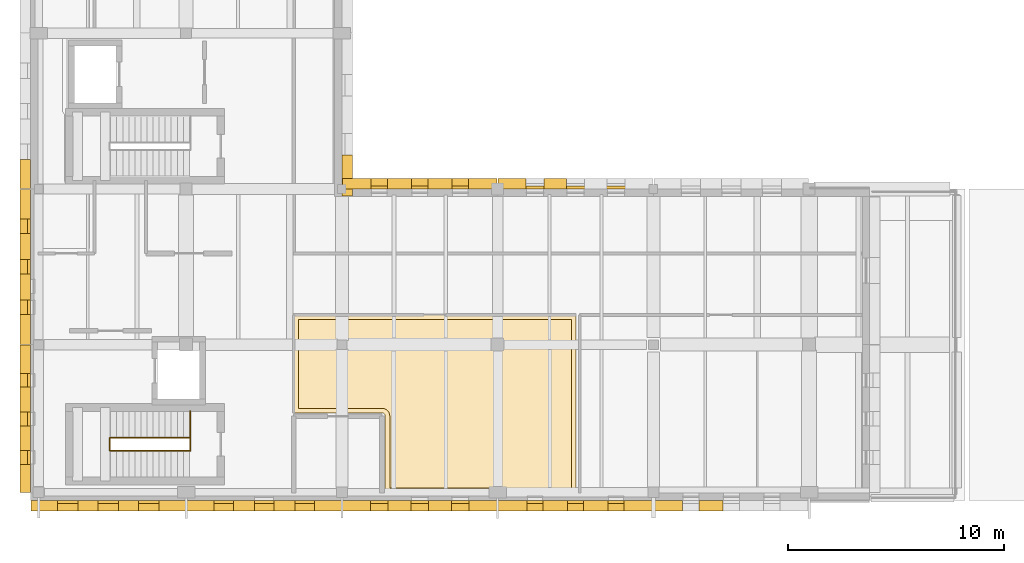
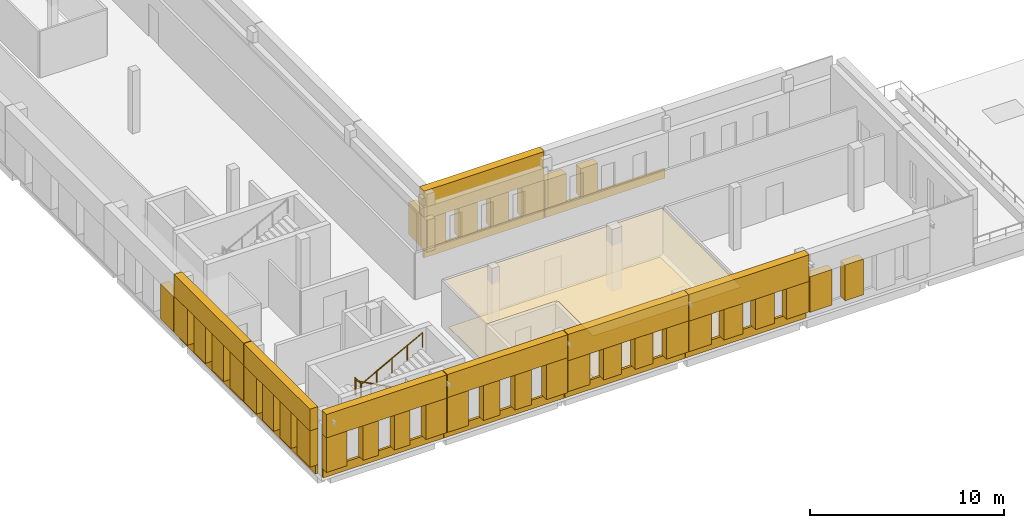
# One storey, part 47 of 56: 51 coverings, 4 railings.
"""IFC4 building model written with IfcOpenShell, lengths in metres."""

from ifc_helpers import new_model, si_unit, direction, frame, origin, origin_2d, place, context, subcontext, project, spatial, polyline, circle, outline, extrude, material, layer, layer_set, type_object, element, save


model = new_model("IFC4")

# Units and contexts
model_context = context("Model", 3, precision=1e-05, world=origin(), true_north=direction((0.0, 1.0)))
body_context = subcontext(model_context, "Body", "Model", "MODEL_VIEW")
ifc_project = project(units=[si_unit("LENGTHUNIT", "METRE"), si_unit("AREAUNIT", "SQUARE_METRE"), si_unit("VOLUMEUNIT", "CUBIC_METRE"), si_unit("PLANEANGLEUNIT", "RADIAN"), si_unit("MASSUNIT", "GRAM", prefix="KILO")], contexts=[model_context])

# Site, building, storey
site_placement = place(None, origin())
site = spatial("IfcSite", under=ifc_project, at=site_placement, CompositionType="ELEMENT")
building_placement = place(site_placement, origin())
building = spatial("IfcBuilding", under=site, at=building_placement, Name="Vardoun Plaza Health Centre", CompositionType="ELEMENT")
storey_placement = place(building_placement, frame((0.0, 0.0, 8.699951171875)))
storey = spatial("IfcBuildingStorey", under=building, at=storey_placement, Name="L02", CompositionType="ELEMENT", Elevation=8.699951171875)

# Coverings
ifc_material_1 = material(Name="Hygienic Acoustic Mineral-Fibre Ceiling", Category="concrete")
ifc_layer_1 = layer(ifc_material_1, 0.02490234375)
ifc_layer_set_1 = layer_set([ifc_layer_1], Name="Hygienic Acoustic Mineral-Fibre Ceiling")
covering_type_1 = type_object("IfcCoveringType", Name="CL-01", PredefinedType="CEILING", material=ifc_layer_set_1)
covering_1_placement = place(storey_placement, frame((0.0, 0.0, 2.880126953125)))
element("IfcCovering", 1, at=covering_1_placement, inside=storey, type_object=covering_type_1, Name="Terrace Waiting Lounge L02 Acoustic Ceiling", PredefinedType="CEILING", context=body_context, shape_type="SweptSolid", body=[
    extrude(outline(polyline([(16.679931640625, 13.070068359375), (29.719970703125, 13.070068359375), (29.719970703125, 4.860107421875), (20.903564453125, 4.860107421875), (20.903564453125, 8.40087890625), (20.903564453125, 8.4013671875), (20.90283203125, 8.4150390625), (20.902587890625, 8.416015625), (20.900634765625, 8.4296875), (20.900390625, 8.4306640625), (20.897216796875, 8.44384765625), (20.89697265625, 8.44482421875), (20.89208984375, 8.457763671875), (20.891845703125, 8.45849609375), (20.885986328125, 8.47119140625), (20.885498046875, 8.47216796875), (20.87841796875, 8.48388671875), (20.8779296875, 8.484619140625), (20.86962890625, 8.49560546875), (20.869140625, 8.496337890625), (20.85986328125, 8.506591796875), (20.859130859375, 8.50732421875), (20.84912109375, 8.5166015625), (20.848388671875, 8.51708984375), (20.83740234375, 8.525390625), (20.83642578125, 8.52587890625), (20.82470703125, 8.532958984375), (20.82373046875, 8.533203125), (20.811279296875, 8.539306640625), (20.810302734375, 8.53955078125), (20.79736328125, 8.544189453125), (20.796630859375, 8.54443359375), (20.783203125, 8.5478515625), (20.7822265625, 8.548095703125), (20.768798828125, 8.550048828125), (20.767578125, 8.55029296875), (20.75390625, 8.55078125), (20.75341796875, 8.55078125), (16.679931640625, 8.55078125), (16.679931640625, 13.070068359375)])), origin(), (0.0, 0.0, 1.0), 0.02490234375),
])
ifc_material_2 = material(Name="Pale Limestone Concrete C35/45", Category="masonry")
ifc_layer_2 = layer(ifc_material_2, 0.080078125)
ifc_layer_set_2 = layer_set([ifc_layer_2], Name="Pale Limestone Concrete C35/45")
covering_type_2 = type_object("IfcCoveringType", Name="CL-EXT1", PredefinedType="CLADDING", material=ifc_layer_set_2)
covering_2_placement = place(storey_placement, frame((0.0, 0.0, 0.550048828125)))
element("IfcCovering", 2, at=covering_2_placement, inside=storey, type_object=covering_type_2, Name="V2 L02 Deep-Punched Slot Concrete Reveal Pier 212", PredefinedType="CLADDING", context=body_context, shape_type="SweptSolid", body=[
    extrude(outline(polyline([(18.89990234375, 20.474365234375), (18.89990234375, 18.574951171875), (19.3798828125, 18.574951171875), (19.3798828125, 20.474365234375), (18.89990234375, 20.474365234375)])), origin(), (0.0, 0.0, 1.0), 2.02001953125),
])
covering_3_placement = place(storey_placement, origin())
element("IfcCovering", 3, at=covering_3_placement, inside=storey, type_object=covering_type_2, Name="V2 L02 Pale Concrete Sill Band 213", PredefinedType="CLADDING", context=body_context, shape_type="SweptSolid", body=[
    extrude(outline(polyline([(18.919921875, 18.89990234375), (26.080078125, 18.89990234375), (26.080078125, 19.0400390625), (18.919921875, 19.0400390625), (18.919921875, 18.89990234375)])), origin(), (0.0, 0.0, 1.0), 0.550048828125),
])
covering_4_placement = place(storey_placement, frame((0.0, 0.0, 2.400146484375)))
element("IfcCovering", 4, at=covering_4_placement, inside=storey, type_object=covering_type_2, Name="V2 L02 Sculpted Concrete Eyebrow Hood 214", PredefinedType="CLADDING", context=body_context, shape_type="SweptSolid", body=[
    extrude(outline(polyline([(18.919921875, 18.89990234375), (26.080078125, 18.89990234375), (26.080078125, 19.3798828125), (18.919921875, 19.3798828125), (18.919921875, 18.89990234375)])), origin(), (0.0, 0.0, 1.0), 1.7998046875),
])
covering_5_placement = place(storey_placement, frame((0.0, 0.0, 0.550048828125)))
element("IfcCovering", 5, at=covering_5_placement, inside=storey, type_object=covering_type_2, Name="V2 L02 Deep-Punched Slot Concrete Reveal Pier 215", PredefinedType="CLADDING", context=body_context, shape_type="SweptSolid", body=[
    extrude(outline(polyline([(18.919921875, 18.89990234375), (20.248046875, 18.89990234375), (20.248046875, 19.3798828125), (18.919921875, 19.3798828125), (18.919921875, 18.89990234375)])), origin(), (0.0, 0.0, 1.0), 1.85009765625),
])
covering_6_placement = place(storey_placement, frame((0.0, 0.0, 0.550048828125)))
element("IfcCovering", 6, at=covering_6_placement, inside=storey, type_object=covering_type_2, Name="V2 L02 Deep-Punched Slot Concrete Reveal Pier 216", PredefinedType="CLADDING", context=body_context, shape_type="SweptSolid", body=[
    extrude(outline(polyline([(21.008056640625, 18.89990234375), (22.1201171875, 18.89990234375), (22.1201171875, 19.3798828125), (21.008056640625, 19.3798828125), (21.008056640625, 18.89990234375)])), origin(), (0.0, 0.0, 1.0), 1.85009765625),
])
covering_7_placement = place(storey_placement, frame((0.0, 0.0, 0.550048828125)))
element("IfcCovering", 7, at=covering_7_placement, inside=storey, type_object=covering_type_2, Name="V2 L02 Deep-Punched Slot Concrete Reveal Pier 217", PredefinedType="CLADDING", context=body_context, shape_type="SweptSolid", body=[
    extrude(outline(polyline([(22.8798828125, 18.89990234375), (23.991943359375, 18.89990234375), (23.991943359375, 19.3798828125), (22.8798828125, 19.3798828125), (22.8798828125, 18.89990234375)])), origin(), (0.0, 0.0, 1.0), 1.85009765625),
])
covering_8_placement = place(storey_placement, frame((0.0, 0.0, 0.550048828125)))
element("IfcCovering", 8, at=covering_8_placement, inside=storey, type_object=covering_type_2, Name="V2 L02 Deep-Punched Slot Concrete Reveal Pier 218", PredefinedType="CLADDING", context=body_context, shape_type="SweptSolid", body=[
    extrude(outline(polyline([(24.751953125, 18.89990234375), (26.080078125, 18.89990234375), (26.080078125, 19.3798828125), (24.751953125, 19.3798828125), (24.751953125, 18.89990234375)])), origin(), (0.0, 0.0, 1.0), 1.85009765625),
])
covering_9_placement = place(storey_placement, origin())
element("IfcCovering", 9, at=covering_9_placement, inside=storey, type_object=covering_type_2, Name="V2 L02 Pale Concrete Sill Band 219", PredefinedType="CLADDING", context=body_context, shape_type="SweptSolid", body=[
    extrude(outline(polyline([(26.1201171875, 18.89990234375), (33.280029296875, 18.89990234375), (33.280029296875, 19.0400390625), (26.1201171875, 19.0400390625), (26.1201171875, 18.89990234375)])), origin(), (0.0, 0.0, 1.0), 0.550048828125),
])
covering_10_placement = place(storey_placement, frame((0.0, 0.0, 0.550048828125)))
element("IfcCovering", 10, at=covering_10_placement, inside=storey, type_object=covering_type_2, Name="V2 L02 Deep-Punched Slot Concrete Reveal Pier 221", PredefinedType="CLADDING", context=body_context, shape_type="SweptSolid", body=[
    extrude(outline(polyline([(26.1201171875, 18.89990234375), (27.407958984375, 18.89990234375), (27.407958984375, 19.3798828125), (26.1201171875, 19.3798828125), (26.1201171875, 18.89990234375)])), origin(), (0.0, 0.0, 1.0), 1.800048828125),
])
covering_11_placement = place(storey_placement, frame((0.0, 0.0, 0.550048828125)))
element("IfcCovering", 11, at=covering_11_placement, inside=storey, type_object=covering_type_2, Name="V2 L02 Deep-Punched Slot Concrete Reveal Pier 222", PredefinedType="CLADDING", context=body_context, shape_type="SweptSolid", body=[
    extrude(outline(polyline([(28.248046875, 18.89990234375), (29.280029296875, 18.89990234375), (29.280029296875, 19.3798828125), (28.248046875, 19.3798828125), (28.248046875, 18.89990234375)])), origin(), (0.0, 0.0, 1.0), 1.800048828125),
])
covering_12_placement = place(storey_placement, frame((0.0, 0.0, 0.550048828125)))
element("IfcCovering", 12, at=covering_12_placement, inside=storey, type_object=covering_type_2, Name="V2 L02 Deep-Punched Slot Concrete Reveal Pier 246", PredefinedType="CLADDING", context=body_context, shape_type="SweptSolid", body=[
    extrude(outline(polyline([(36.510009765625, 4.5), (35.41796875, 4.5), (35.41796875, 4.02001953125), (36.510009765625, 4.02001953125), (36.510009765625, 4.5)])), origin(), (0.0, 0.0, 1.0), 2.25),
])
covering_13_placement = place(storey_placement, frame((0.0, 0.0, 0.550048828125)))
element("IfcCovering", 13, at=covering_13_placement, inside=storey, type_object=covering_type_2, Name="V2 L02 Deep-Punched Slot Concrete Reveal Pier 247", PredefinedType="CLADDING", context=body_context, shape_type="SweptSolid", body=[
    extrude(outline(polyline([(34.637939453125, 4.5), (33.320068359375, 4.5), (33.320068359375, 4.02001953125), (34.637939453125, 4.02001953125), (34.637939453125, 4.5)])), origin(), (0.0, 0.0, 1.0), 2.25),
])
covering_14_placement = place(storey_placement, origin())
element("IfcCovering", 14, at=covering_14_placement, inside=storey, type_object=covering_type_2, Name="V2 L02 Pale Concrete Sill Band 248", PredefinedType="CLADDING", context=body_context, shape_type="SweptSolid", body=[
    extrude(outline(polyline([(33.280029296875, 4.5), (26.1201171875, 4.5), (26.1201171875, 4.360107421875), (33.280029296875, 4.360107421875), (33.280029296875, 4.5)])), origin(), (0.0, 0.0, 1.0), 0.60009765625),
])
covering_15_placement = place(storey_placement, frame((0.0, 0.0, 2.52001953125)))
element("IfcCovering", 15, at=covering_15_placement, inside=storey, type_object=covering_type_2, Name="V2 L02 Sculpted Concrete Eyebrow Hood 249", PredefinedType="CLADDING", context=body_context, shape_type="SweptSolid", body=[
    extrude(outline(polyline([(33.280029296875, 4.5), (26.1201171875, 4.5), (26.1201171875, 4.02001953125), (33.280029296875, 4.02001953125), (33.280029296875, 4.5)])), origin(), (0.0, 0.0, 1.0), 1.679931640625),
])
covering_16_placement = place(storey_placement, frame((0.0, 0.0, 0.60009765625)))
element("IfcCovering", 16, at=covering_16_placement, inside=storey, type_object=covering_type_2, Name="V2 L02 Deep-Punched Slot Concrete Reveal Pier 250", PredefinedType="CLADDING", context=body_context, shape_type="SweptSolid", body=[
    extrude(outline(polyline([(33.280029296875, 4.5), (31.94189453125, 4.5), (31.94189453125, 4.02001953125), (33.280029296875, 4.02001953125), (33.280029296875, 4.5)])), origin(), (0.0, 0.0, 1.0), 1.919921875),
])
covering_17_placement = place(storey_placement, frame((0.0, 0.0, 0.60009765625)))
element("IfcCovering", 17, at=covering_17_placement, inside=storey, type_object=covering_type_2, Name="V2 L02 Deep-Punched Slot Concrete Reveal Pier 251", PredefinedType="CLADDING", context=body_context, shape_type="SweptSolid", body=[
    extrude(outline(polyline([(31.201904296875, 4.5), (30.070068359375, 4.5), (30.070068359375, 4.02001953125), (31.201904296875, 4.02001953125), (31.201904296875, 4.5)])), origin(), (0.0, 0.0, 1.0), 1.919921875),
])
covering_18_placement = place(storey_placement, frame((0.0, 0.0, 0.60009765625)))
element("IfcCovering", 18, at=covering_18_placement, inside=storey, type_object=covering_type_2, Name="V2 L02 Deep-Punched Slot Concrete Reveal Pier 252", PredefinedType="CLADDING", context=body_context, shape_type="SweptSolid", body=[
    extrude(outline(polyline([(29.330078125, 4.5), (28.197998046875, 4.5), (28.197998046875, 4.02001953125), (29.330078125, 4.02001953125), (29.330078125, 4.5)])), origin(), (0.0, 0.0, 1.0), 1.919921875),
])
covering_19_placement = place(storey_placement, frame((0.0, 0.0, 0.60009765625)))
element("IfcCovering", 19, at=covering_19_placement, inside=storey, type_object=covering_type_2, Name="V2 L02 Deep-Punched Slot Concrete Reveal Pier 253", PredefinedType="CLADDING", context=body_context, shape_type="SweptSolid", body=[
    extrude(outline(polyline([(27.4580078125, 4.5), (26.1201171875, 4.5), (26.1201171875, 4.02001953125), (27.4580078125, 4.02001953125), (27.4580078125, 4.5)])), origin(), (0.0, 0.0, 1.0), 1.919921875),
])
covering_20_placement = place(storey_placement, origin())
element("IfcCovering", 20, at=covering_20_placement, inside=storey, type_object=covering_type_2, Name="V2 L02 Pale Concrete Sill Band 254", PredefinedType="CLADDING", context=body_context, shape_type="SweptSolid", body=[
    extrude(outline(polyline([(26.080078125, 4.5), (18.919921875, 4.5), (18.919921875, 4.360107421875), (26.080078125, 4.360107421875), (26.080078125, 4.5)])), origin(), (0.0, 0.0, 1.0), 0.60009765625),
])
covering_21_placement = place(storey_placement, frame((0.0, 0.0, 2.550048828125)))
element("IfcCovering", 21, at=covering_21_placement, inside=storey, type_object=covering_type_2, Name="V2 L02 Sculpted Concrete Eyebrow Hood 255", PredefinedType="CLADDING", context=body_context, shape_type="SweptSolid", body=[
    extrude(outline(polyline([(26.080078125, 4.5), (18.919921875, 4.5), (18.919921875, 4.02001953125), (26.080078125, 4.02001953125), (26.080078125, 4.5)])), origin(), (0.0, 0.0, 1.0), 1.64990234375),
])
covering_22_placement = place(storey_placement, frame((0.0, 0.0, 0.60009765625)))
element("IfcCovering", 22, at=covering_22_placement, inside=storey, type_object=covering_type_2, Name="V2 L02 Deep-Punched Slot Concrete Reveal Pier 256", PredefinedType="CLADDING", context=body_context, shape_type="SweptSolid", body=[
    extrude(outline(polyline([(26.080078125, 4.5), (24.781982421875, 4.5), (24.781982421875, 4.02001953125), (26.080078125, 4.02001953125), (26.080078125, 4.5)])), origin(), (0.0, 0.0, 1.0), 1.949951171875),
])
covering_23_placement = place(storey_placement, frame((0.0, 0.0, 0.60009765625)))
element("IfcCovering", 23, at=covering_23_placement, inside=storey, type_object=covering_type_2, Name="V2 L02 Deep-Punched Slot Concrete Reveal Pier 257", PredefinedType="CLADDING", context=body_context, shape_type="SweptSolid", body=[
    extrude(outline(polyline([(23.9619140625, 4.5), (22.909912109375, 4.5), (22.909912109375, 4.02001953125), (23.9619140625, 4.02001953125), (23.9619140625, 4.5)])), origin(), (0.0, 0.0, 1.0), 1.949951171875),
])
covering_24_placement = place(storey_placement, frame((0.0, 0.0, 0.60009765625)))
element("IfcCovering", 24, at=covering_24_placement, inside=storey, type_object=covering_type_2, Name="V2 L02 Deep-Punched Slot Concrete Reveal Pier 258", PredefinedType="CLADDING", context=body_context, shape_type="SweptSolid", body=[
    extrude(outline(polyline([(22.090087890625, 4.5), (21.0380859375, 4.5), (21.0380859375, 4.02001953125), (22.090087890625, 4.02001953125), (22.090087890625, 4.5)])), origin(), (0.0, 0.0, 1.0), 1.949951171875),
])
covering_25_placement = place(storey_placement, frame((0.0, 0.0, 0.60009765625)))
element("IfcCovering", 25, at=covering_25_placement, inside=storey, type_object=covering_type_2, Name="V2 L02 Deep-Punched Slot Concrete Reveal Pier 259", PredefinedType="CLADDING", context=body_context, shape_type="SweptSolid", body=[
    extrude(outline(polyline([(20.218017578125, 4.5), (18.919921875, 4.5), (18.919921875, 4.02001953125), (20.218017578125, 4.02001953125), (20.218017578125, 4.5)])), origin(), (0.0, 0.0, 1.0), 1.949951171875),
])
covering_26_placement = place(storey_placement, origin())
element("IfcCovering", 26, at=covering_26_placement, inside=storey, type_object=covering_type_2, Name="V2 L02 Pale Concrete Sill Band 260", PredefinedType="CLADDING", context=body_context, shape_type="SweptSolid", body=[
    extrude(outline(polyline([(18.8798828125, 4.5), (11.719970703125, 4.5), (11.719970703125, 4.360107421875), (18.8798828125, 4.360107421875), (18.8798828125, 4.5)])), origin(), (0.0, 0.0, 1.0), 0.550048828125),
])
covering_27_placement = place(storey_placement, frame((0.0, 0.0, 2.75)))
element("IfcCovering", 27, at=covering_27_placement, inside=storey, type_object=covering_type_2, Name="V2 L02 Sculpted Concrete Eyebrow Hood 261", PredefinedType="CLADDING", context=body_context, shape_type="SweptSolid", body=[
    extrude(outline(polyline([(18.8798828125, 4.5), (11.719970703125, 4.5), (11.719970703125, 4.02001953125), (18.8798828125, 4.02001953125), (18.8798828125, 4.5)])), origin(), (0.0, 0.0, 1.0), 1.449951171875),
])
covering_28_placement = place(storey_placement, frame((0.0, 0.0, 0.550048828125)))
element("IfcCovering", 28, at=covering_28_placement, inside=storey, type_object=covering_type_2, Name="V2 L02 Deep-Punched Slot Concrete Reveal Pier 262", PredefinedType="CLADDING", context=body_context, shape_type="SweptSolid", body=[
    extrude(outline(polyline([(18.8798828125, 4.5), (17.6220703125, 4.5), (17.6220703125, 4.02001953125), (18.8798828125, 4.02001953125), (18.8798828125, 4.5)])), origin(), (0.0, 0.0, 1.0), 2.199951171875),
])
covering_29_placement = place(storey_placement, frame((0.0, 0.0, 0.550048828125)))
element("IfcCovering", 29, at=covering_29_placement, inside=storey, type_object=covering_type_2, Name="V2 L02 Deep-Punched Slot Concrete Reveal Pier 263", PredefinedType="CLADDING", context=body_context, shape_type="SweptSolid", body=[
    extrude(outline(polyline([(16.721923828125, 4.5), (15.75, 4.5), (15.75, 4.02001953125), (16.721923828125, 4.02001953125), (16.721923828125, 4.5)])), origin(), (0.0, 0.0, 1.0), 2.199951171875),
])
covering_30_placement = place(storey_placement, frame((0.0, 0.0, 0.550048828125)))
element("IfcCovering", 30, at=covering_30_placement, inside=storey, type_object=covering_type_2, Name="V2 L02 Deep-Punched Slot Concrete Reveal Pier 264", PredefinedType="CLADDING", context=body_context, shape_type="SweptSolid", body=[
    extrude(outline(polyline([(14.85009765625, 4.5), (13.8779296875, 4.5), (13.8779296875, 4.02001953125), (14.85009765625, 4.02001953125), (14.85009765625, 4.5)])), origin(), (0.0, 0.0, 1.0), 2.199951171875),
])
covering_31_placement = place(storey_placement, frame((0.0, 0.0, 0.550048828125)))
element("IfcCovering", 31, at=covering_31_placement, inside=storey, type_object=covering_type_2, Name="V2 L02 Deep-Punched Slot Concrete Reveal Pier 265", PredefinedType="CLADDING", context=body_context, shape_type="SweptSolid", body=[
    extrude(outline(polyline([(12.97802734375, 4.5), (11.719970703125, 4.5), (11.719970703125, 4.02001953125), (12.97802734375, 4.02001953125), (12.97802734375, 4.5)])), origin(), (0.0, 0.0, 1.0), 2.199951171875),
])
covering_32_placement = place(storey_placement, origin())
element("IfcCovering", 32, at=covering_32_placement, inside=storey, type_object=covering_type_2, Name="V2 L02 Pale Concrete Sill Band 266", PredefinedType="CLADDING", context=body_context, shape_type="SweptSolid", body=[
    extrude(outline(polyline([(11.679931640625, 4.5), (4.52001953125, 4.5), (4.52001953125, 4.360107421875), (11.679931640625, 4.360107421875), (11.679931640625, 4.5)])), origin(), (0.0, 0.0, 1.0), 0.550048828125),
])
covering_33_placement = place(storey_placement, frame((0.0, 0.0, 2.72998046875)))
element("IfcCovering", 33, at=covering_33_placement, inside=storey, type_object=covering_type_2, Name="V2 L02 Sculpted Concrete Eyebrow Hood 267", PredefinedType="CLADDING", context=body_context, shape_type="SweptSolid", body=[
    extrude(outline(polyline([(11.679931640625, 4.5), (4.52001953125, 4.5), (4.52001953125, 4.02001953125), (11.679931640625, 4.02001953125), (11.679931640625, 4.5)])), origin(), (0.0, 0.0, 1.0), 1.469970703125),
])
covering_34_placement = place(storey_placement, frame((0.0, 0.0, 0.550048828125)))
element("IfcCovering", 34, at=covering_34_placement, inside=storey, type_object=covering_type_2, Name="V2 L02 Deep-Punched Slot Concrete Reveal Pier 268", PredefinedType="CLADDING", context=body_context, shape_type="SweptSolid", body=[
    extrude(outline(polyline([(11.679931640625, 4.5), (10.44189453125, 4.5), (10.44189453125, 4.02001953125), (11.679931640625, 4.02001953125), (11.679931640625, 4.5)])), origin(), (0.0, 0.0, 1.0), 2.179931640625),
])
covering_35_placement = place(storey_placement, frame((0.0, 0.0, 0.550048828125)))
element("IfcCovering", 35, at=covering_35_placement, inside=storey, type_object=covering_type_2, Name="V2 L02 Deep-Punched Slot Concrete Reveal Pier 269", PredefinedType="CLADDING", context=body_context, shape_type="SweptSolid", body=[
    extrude(outline(polyline([(9.501953125, 4.5), (8.570068359375, 4.5), (8.570068359375, 4.02001953125), (9.501953125, 4.02001953125), (9.501953125, 4.5)])), origin(), (0.0, 0.0, 1.0), 2.179931640625),
])
covering_36_placement = place(storey_placement, frame((0.0, 0.0, 0.550048828125)))
element("IfcCovering", 36, at=covering_36_placement, inside=storey, type_object=covering_type_2, Name="V2 L02 Deep-Punched Slot Concrete Reveal Pier 270", PredefinedType="CLADDING", context=body_context, shape_type="SweptSolid", body=[
    extrude(outline(polyline([(7.6298828125, 4.5), (6.697998046875, 4.5), (6.697998046875, 4.02001953125), (7.6298828125, 4.02001953125), (7.6298828125, 4.5)])), origin(), (0.0, 0.0, 1.0), 2.179931640625),
])
covering_37_placement = place(storey_placement, frame((0.0, 0.0, 0.550048828125)))
element("IfcCovering", 37, at=covering_37_placement, inside=storey, type_object=covering_type_2, Name="V2 L02 Deep-Punched Slot Concrete Reveal Pier 271", PredefinedType="CLADDING", context=body_context, shape_type="SweptSolid", body=[
    extrude(outline(polyline([(5.758056640625, 4.5), (4.52001953125, 4.5), (4.52001953125, 4.02001953125), (5.758056640625, 4.02001953125), (5.758056640625, 4.5)])), origin(), (0.0, 0.0, 1.0), 2.179931640625),
])
covering_38_placement = place(storey_placement, origin())
element("IfcCovering", 38, at=covering_38_placement, inside=storey, type_object=covering_type_2, Name="V2 L02 Pale Concrete Sill Band 272", PredefinedType="CLADDING", context=body_context, shape_type="SweptSolid", body=[
    extrude(outline(polyline([(4.5, 4.864990234375), (4.5, 11.679931640625), (4.360107421875, 11.679931640625), (4.360107421875, 4.864990234375), (4.5, 4.864990234375)])), origin(), (0.0, 0.0, 1.0), 0.550048828125),
])
covering_39_placement = place(storey_placement, frame((0.0, 0.0, 2.830078125)))
element("IfcCovering", 39, at=covering_39_placement, inside=storey, type_object=covering_type_2, Name="V2 L02 Sculpted Concrete Eyebrow Hood 273", PredefinedType="CLADDING", context=body_context, shape_type="SweptSolid", body=[
    extrude(outline(polyline([(4.5, 4.864990234375), (4.5, 11.679931640625), (4.02001953125, 11.679931640625), (4.02001953125, 4.864990234375), (4.5, 4.864990234375)])), origin(), (0.0, 0.0, 1.0), 1.369873046875),
])
covering_40_placement = place(storey_placement, frame((0.0, 0.0, 0.550048828125)))
element("IfcCovering", 40, at=covering_40_placement, inside=storey, type_object=covering_type_2, Name="V2 L02 Deep-Punched Slot Concrete Reveal Pier 274", PredefinedType="CLADDING", context=body_context, shape_type="SweptSolid", body=[
    extrude(outline(polyline([(4.5, 4.864990234375), (4.5, 6.170166015625), (4.02001953125, 6.170166015625), (4.02001953125, 4.864990234375), (4.5, 4.864990234375)])), origin(), (0.0, 0.0, 1.0), 2.280029296875),
])
covering_41_placement = place(storey_placement, frame((0.0, 0.0, 0.550048828125)))
element("IfcCovering", 41, at=covering_41_placement, inside=storey, type_object=covering_type_2, Name="V2 L02 Deep-Punched Slot Concrete Reveal Pier 275", PredefinedType="CLADDING", context=body_context, shape_type="SweptSolid", body=[
    extrude(outline(polyline([(4.5, 6.810302734375), (4.5, 7.952392578125), (4.02001953125, 7.952392578125), (4.02001953125, 6.810302734375), (4.5, 6.810302734375)])), origin(), (0.0, 0.0, 1.0), 2.280029296875),
])
covering_42_placement = place(storey_placement, frame((0.0, 0.0, 0.550048828125)))
element("IfcCovering", 42, at=covering_42_placement, inside=storey, type_object=covering_type_2, Name="V2 L02 Deep-Punched Slot Concrete Reveal Pier 276", PredefinedType="CLADDING", context=body_context, shape_type="SweptSolid", body=[
    extrude(outline(polyline([(4.5, 8.592529296875), (4.5, 9.73486328125), (4.02001953125, 9.73486328125), (4.02001953125, 8.592529296875), (4.5, 8.592529296875)])), origin(), (0.0, 0.0, 1.0), 2.280029296875),
])
covering_43_placement = place(storey_placement, frame((0.0, 0.0, 0.550048828125)))
element("IfcCovering", 43, at=covering_43_placement, inside=storey, type_object=covering_type_2, Name="V2 L02 Deep-Punched Slot Concrete Reveal Pier 277", PredefinedType="CLADDING", context=body_context, shape_type="SweptSolid", body=[
    extrude(outline(polyline([(4.5, 10.374755859375), (4.5, 11.679931640625), (4.02001953125, 11.679931640625), (4.02001953125, 10.374755859375), (4.5, 10.374755859375)])), origin(), (0.0, 0.0, 1.0), 2.280029296875),
])
covering_44_placement = place(storey_placement, origin())
element("IfcCovering", 44, at=covering_44_placement, inside=storey, type_object=covering_type_2, Name="V2 L02 Pale Concrete Sill Band 278", PredefinedType="CLADDING", context=body_context, shape_type="SweptSolid", body=[
    extrude(outline(polyline([(4.5, 11.719970703125), (4.5, 18.8798828125), (4.360107421875, 18.8798828125), (4.360107421875, 11.719970703125), (4.5, 11.719970703125)])), origin(), (0.0, 0.0, 1.0), 0.550048828125),
])
covering_45_placement = place(storey_placement, frame((0.0, 0.0, 2.830078125)))
element("IfcCovering", 45, at=covering_45_placement, inside=storey, type_object=covering_type_2, Name="V2 L02 Sculpted Concrete Eyebrow Hood 279", PredefinedType="CLADDING", context=body_context, shape_type="SweptSolid", body=[
    extrude(outline(polyline([(4.5, 11.719970703125), (4.5, 18.8798828125), (4.02001953125, 18.8798828125), (4.02001953125, 11.719970703125), (4.5, 11.719970703125)])), origin(), (0.0, 0.0, 1.0), 1.369873046875),
])
covering_46_placement = place(storey_placement, frame((0.0, 0.0, 0.550048828125)))
element("IfcCovering", 46, at=covering_46_placement, inside=storey, type_object=covering_type_2, Name="V2 L02 Deep-Punched Slot Concrete Reveal Pier 280", PredefinedType="CLADDING", context=body_context, shape_type="SweptSolid", body=[
    extrude(outline(polyline([(4.5, 11.719970703125), (4.5, 13.087890625), (4.02001953125, 13.087890625), (4.02001953125, 11.719970703125), (4.5, 11.719970703125)])), origin(), (0.0, 0.0, 1.0), 2.280029296875),
])
covering_47_placement = place(storey_placement, frame((0.0, 0.0, 0.550048828125)))
element("IfcCovering", 47, at=covering_47_placement, inside=storey, type_object=covering_type_2, Name="V2 L02 Deep-Punched Slot Concrete Reveal Pier 281", PredefinedType="CLADDING", context=body_context, shape_type="SweptSolid", body=[
    extrude(outline(polyline([(4.5, 13.76806640625), (4.5, 14.9599609375), (4.02001953125, 14.9599609375), (4.02001953125, 13.76806640625), (4.5, 13.76806640625)])), origin(), (0.0, 0.0, 1.0), 2.280029296875),
])
covering_48_placement = place(storey_placement, frame((0.0, 0.0, 0.550048828125)))
element("IfcCovering", 48, at=covering_48_placement, inside=storey, type_object=covering_type_2, Name="V2 L02 Deep-Punched Slot Concrete Reveal Pier 282", PredefinedType="CLADDING", context=body_context, shape_type="SweptSolid", body=[
    extrude(outline(polyline([(4.5, 15.639892578125), (4.5, 16.83203125), (4.02001953125, 16.83203125), (4.02001953125, 15.639892578125), (4.5, 15.639892578125)])), origin(), (0.0, 0.0, 1.0), 2.280029296875),
])
covering_49_placement = place(storey_placement, frame((0.0, 0.0, 0.550048828125)))
element("IfcCovering", 49, at=covering_49_placement, inside=storey, type_object=covering_type_2, Name="V2 L02 Deep-Punched Slot Concrete Reveal Pier 283", PredefinedType="CLADDING", context=body_context, shape_type="SweptSolid", body=[
    extrude(outline(polyline([(4.5, 17.511962890625), (4.5, 18.8798828125), (4.02001953125, 18.8798828125), (4.02001953125, 17.511962890625), (4.5, 17.511962890625)])), origin(), (0.0, 0.0, 1.0), 2.280029296875),
])
covering_50_placement = place(storey_placement, frame((0.0, 0.0, 0.550048828125)))
element("IfcCovering", 50, at=covering_50_placement, inside=storey, type_object=covering_type_2, Name="V2 L02 Deep-Punched Slot Concrete Reveal Pier 286", PredefinedType="CLADDING", context=body_context, shape_type="SweptSolid", body=[
    extrude(outline(polyline([(4.5, 18.919921875), (4.5, 20.26806640625), (4.02001953125, 20.26806640625), (4.02001953125, 18.919921875), (4.5, 18.919921875)])), origin(), (0.0, 0.0, 1.0), 2.219970703125),
])
ifc_material_3 = material(Name="Polished Lebanese Limestone Terrazzo", Category="masonry")
ifc_layer_3 = layer(ifc_material_3, 0.030029296875)
ifc_layer_set_3 = layer_set([ifc_layer_3], Name="Polished Lebanese Limestone Terrazzo")
covering_type_3 = type_object("IfcCoveringType", Name="FL-02", PredefinedType="FLOORING", material=ifc_layer_set_3)
covering_51_placement = place(storey_placement, origin())
element("IfcCovering", 51, at=covering_51_placement, inside=storey, type_object=covering_type_3, Name="Terrace Waiting Lounge L02 Floor Finish", PredefinedType="FLOORING", context=body_context, shape_type="SweptSolid", body=[
    extrude(outline(polyline([(16.889892578125, 12.860107421875), (29.510009765625, 12.860107421875), (29.510009765625, 5.070068359375), (21.113525390625, 5.070068359375), (21.113525390625, 8.40087890625), (21.11328125, 8.412109375), (21.112548828125, 8.42578125), (21.110595703125, 8.446533203125), (21.1083984375, 8.460205078125), (21.104248046875, 8.481201171875), (21.10107421875, 8.494384765625), (21.09423828125, 8.516845703125), (21.089599609375, 8.52978515625), (21.08251953125, 8.547119140625), (21.07666015625, 8.5595703125), (21.0654296875, 8.580322265625), (21.058349609375, 8.592041015625), (21.04638671875, 8.610107421875), (21.0380859375, 8.62109375), (21.025146484375, 8.636962890625), (21.015869140625, 8.647216796875), (20.999755859375, 8.663330078125), (20.989501953125, 8.672607421875), (20.973876953125, 8.685546875), (20.962890625, 8.693603515625), (20.943603515625, 8.70654296875), (20.931640625, 8.71337890625), (20.9140625, 8.722900390625), (20.901611328125, 8.72900390625), (20.880615234375, 8.737548828125), (20.867431640625, 8.7421875), (20.8486328125, 8.747802734375), (20.835205078125, 8.751220703125), (20.812744140625, 8.755859375), (20.79931640625, 8.7578125), (20.7783203125, 8.760009765625), (20.7646484375, 8.760498046875), (20.75341796875, 8.760986328125), (16.889892578125, 8.760986328125), (16.889892578125, 12.860107421875)])), origin(), (0.0, 0.0, 1.0), 0.030029296875),
])

# Railings
ifc_material_4 = material(Name="Painted Steel S275JR Stair-Well Guardrail", Category="steel")
railing_type_1 = type_object("IfcRailingType", Name="GR-04", PredefinedType="GUARDRAIL", material=ifc_material_4)
railing_1_placement = place(storey_placement, frame((11.889892578125, 6.804931640625, 0.0)))
element("IfcRailing", 52, at=railing_1_placement, inside=storey, type_object=railing_type_1, Name="Stair ST-C1-L01 Upper Landing Well Guard", PredefinedType="GUARDRAIL", context=body_context, shape_type="SweptSolid", body=[
    extrude(circle(Radius=0.02392578125, at=origin_2d()), frame((0.0, 0.0, 1.09619140625), z_axis=(0.0, 1.0, 0.0), x_axis=(-1.0, 0.0, 0.0)), (0.0, 0.0, 1.0), 1.815185546875),
    extrude(circle(Radius=0.02099609375, at=origin_2d()), origin(), (0.0, 0.0, 1.0), 1.072021484375),
    extrude(circle(Radius=0.02099609375, at=origin_2d()), frame((0.0, 0.90771484375, 0.0)), (0.0, 0.0, 1.0), 1.072021484375),
    extrude(circle(Radius=0.02099609375, at=origin_2d()), frame((0.0, 1.815185546875, 0.0)), (0.0, 0.0, 1.0), 1.072021484375),
])
railing_2_placement = place(storey_placement, frame((8.169921875, 6.804931640625, 2.10009765625)))
element("IfcRailing", 53, at=railing_2_placement, inside=storey, type_object=railing_type_1, Name="Stair ST-C1-L02 Mid-Landing Well Guard", PredefinedType="GUARDRAIL", context=body_context, shape_type="SweptSolid", body=[
    extrude(circle(Radius=0.02392578125, at=origin_2d()), frame((0.0, 0.0, 1.09619140625), z_axis=(0.0, 1.0, 0.0), x_axis=(-1.0, 0.0, 0.0)), (0.0, 0.0, 1.0), 0.590087890625),
    extrude(circle(Radius=0.02099609375, at=origin_2d()), origin(), (0.0, 0.0, 1.0), 1.072021484375),
    extrude(circle(Radius=0.02099609375, at=origin_2d()), frame((0.0, 0.590087890625, 0.0)), (0.0, 0.0, 1.0), 1.072021484375),
])
ifc_material_5 = material(Name="Brushed Stainless Steel Grade 316L", Category="steel")
railing_type_2 = type_object("IfcRailingType", Name="HR-01", PredefinedType="HANDRAIL", material=ifc_material_5)
railing_3_placement = place(storey_placement, frame((11.85009765625, 7.39501953125, 0.150146484375)))
element("IfcRailing", 54, at=railing_3_placement, inside=storey, type_object=railing_type_2, Name="Stair ST-C1-L02 Flight 1 Handrail", PredefinedType="HANDRAIL", context=body_context, shape_type="SweptSolid", body=[
    extrude(circle(Radius=0.02392578125, at=origin_2d()), frame((0.0, 0.0, 0.89599609375), z_axis=(-0.881492274372, 0.0, 0.472198443689), x_axis=(0.0, -1.0, 0.0)), (0.0, 0.0, 1.0), 4.12939453125),
    extrude(circle(Radius=0.02099609375, at=origin_2d()), origin(), (0.0, 0.0, 1.0), 0.871826171875),
    extrude(circle(Radius=0.02099609375, at=origin_2d()), frame((-0.91015625, 0.0, 0.487548828125)), (0.0, 0.0, 1.0), 0.871826171875),
    extrude(circle(Radius=0.02099609375, at=origin_2d()), frame((-1.820068359375, 0.0, 0.97509765625)), (0.0, 0.0, 1.0), 0.871826171875),
    extrude(circle(Radius=0.02099609375, at=origin_2d()), frame((-2.72998046875, 0.0, 1.46240234375)), (0.0, 0.0, 1.0), 0.871826171875),
    extrude(circle(Radius=0.02099609375, at=origin_2d()), frame((-3.64013671875, 0.0, 1.949951171875)), (0.0, 0.0, 1.0), 0.871826171875),
])
railing_4_placement = place(storey_placement, frame((8.2099609375, 6.804931640625, 2.25)))
element("IfcRailing", 55, at=railing_4_placement, inside=storey, type_object=railing_type_2, Name="Stair ST-C1-L02 Flight 2 Handrail", PredefinedType="HANDRAIL", context=body_context, shape_type="SweptSolid", body=[
    extrude(circle(Radius=0.02392578125, at=origin_2d()), frame((0.0, 0.0, 0.89599609375), z_axis=(0.881492274372, 0.0, 0.472198443689), x_axis=(0.0, 1.0, 0.0)), (0.0, 0.0, 1.0), 4.12939453125),
    extrude(circle(Radius=0.02099609375, at=origin_2d()), origin(), (0.0, 0.0, 1.0), 0.871826171875),
    extrude(circle(Radius=0.02099609375, at=origin_2d()), frame((0.91015625, 0.0, 0.487548828125)), (0.0, 0.0, 1.0), 0.871826171875),
    extrude(circle(Radius=0.02099609375, at=origin_2d()), frame((1.820068359375, 0.0, 0.97509765625)), (0.0, 0.0, 1.0), 0.871826171875),
    extrude(circle(Radius=0.02099609375, at=origin_2d()), frame((2.72998046875, 0.0, 1.46240234375)), (0.0, 0.0, 1.0), 0.871826171875),
    extrude(circle(Radius=0.02099609375, at=origin_2d()), frame((3.64013671875, 0.0, 1.949951171875)), (0.0, 0.0, 1.0), 0.871826171875),
])

save(model, "model.ifc")
